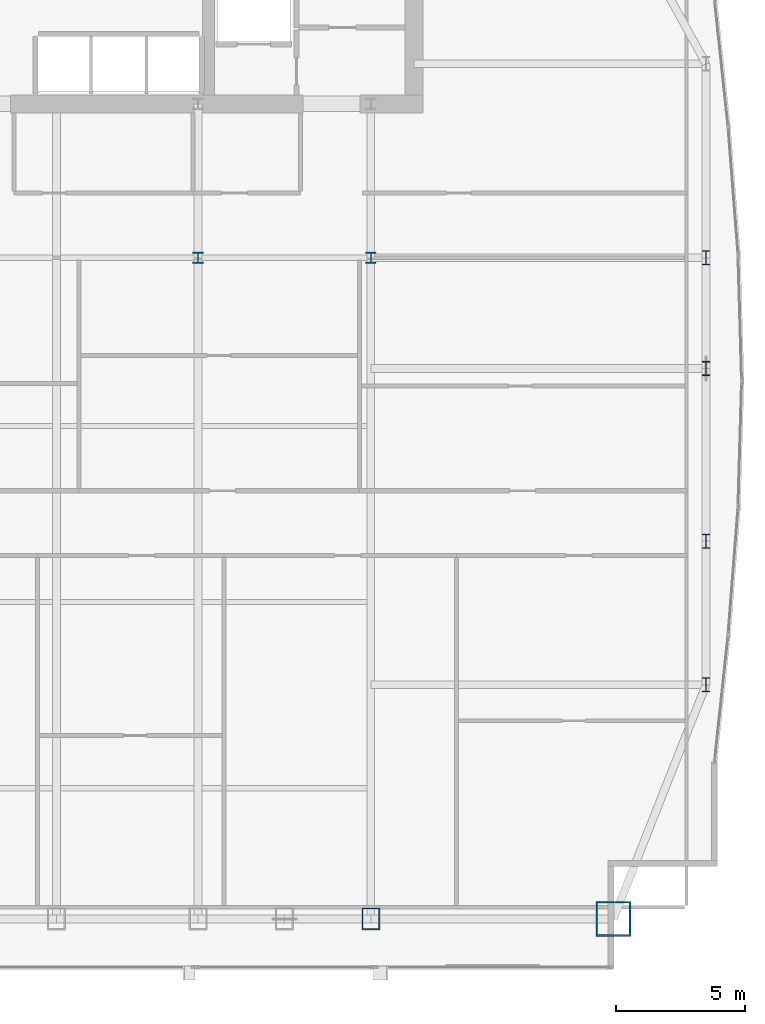
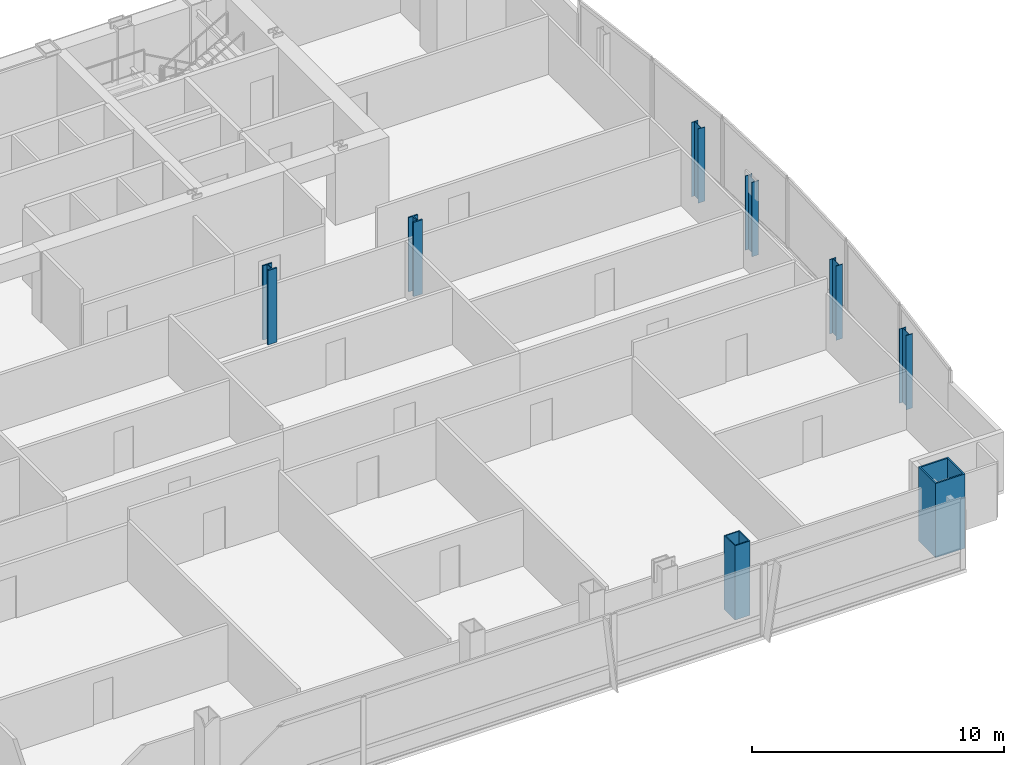
# One storey, part 2 of 29: 8 columns.
"""IFC4 building model written with IfcOpenShell, lengths in metres."""

from ifc_helpers import new_model, si_unit, direction, frame, origin, origin_2d, place, context, subcontext, project, spatial, hollow_rectangle, i_section, extrude, material, material_profile, profile_set, type_object, element, save


model = new_model("IFC4")

# Units and contexts
model_context = context("Model", 3, precision=1e-05, world=origin(), true_north=direction((0.0, 1.0)))
body_context = subcontext(model_context, "Body", "Model", "MODEL_VIEW")
ifc_project = project(units=[si_unit("LENGTHUNIT", "METRE"), si_unit("AREAUNIT", "SQUARE_METRE"), si_unit("VOLUMEUNIT", "CUBIC_METRE"), si_unit("PLANEANGLEUNIT", "RADIAN"), si_unit("MASSUNIT", "GRAM", prefix="KILO")], contexts=[model_context])

# Site, building, storey
site_placement = place(None, origin())
site = spatial("IfcSite", under=ifc_project, at=site_placement, CompositionType="ELEMENT")
building_placement = place(site_placement, origin())
building = spatial("IfcBuilding", under=site, at=building_placement, Name="Khoronbel Lancet Exchange", CompositionType="ELEMENT")
storey_placement = place(building_placement, frame((0.0, 0.0, 143.39990234375)))
storey = spatial("IfcBuildingStorey", under=building, at=storey_placement, Name="L35", CompositionType="ELEMENT", Elevation=143.39990234375)

# Columns
ifc_material_1 = material(Name="Steel S460", Category="steel")
ifc_material_profile_1 = material_profile(ifc_material_1, hollow_rectangle(XDim=0.699951171875, YDim=0.85009765625, WallThickness=0.050048828125, at=origin_2d()), Name="BOX 850x700x50")
ifc_profile_set_1 = profile_set([ifc_material_profile_1], Name="Steel S460")
column_type_1 = type_object("IfcColumnType", Name="COL-EC2", PredefinedType="COLUMN", material=ifc_profile_set_1)
column_1_placement = place(storey_placement, frame((54.675048828125, 10.14990234375, 0.0), z_axis=(0.0, 0.0, 1.0), x_axis=(1.0, 0.0, 0.0)))
element("IfcColumn", 1, at=column_1_placement, inside=storey, type_object=column_type_1, Name="Structural column SC-E2 L35", PredefinedType="COLUMN", context=body_context, shape_type="SweptSolid", body=[
    extrude(hollow_rectangle(XDim=0.699951171875, YDim=0.85009765625, WallThickness=0.050048828125, at=origin_2d()), origin(), (0.0, 0.0, 1.0), 3.60009765625),
])
ifc_material_profile_2 = material_profile(ifc_material_1, i_section(OverallWidth=0.416015625, OverallDepth=0.446044921875, WebThickness=0.0390625, FlangeThickness=0.062744140625, at=origin_2d()), Name="HD 400x509")
ifc_profile_set_2 = profile_set([ifc_material_profile_2], Name="Steel S460")
column_type_2 = type_object("IfcColumnType", Name="COL-IC2", PredefinedType="COLUMN", material=ifc_profile_set_2)
for number, where, z_axis, x_axis, name in (
    (2, (48.0, 35.699951171875, 0.0), (0.0, 0.0, 1.0), (1.0, 0.0, 0.0), "Spine gravity column TC3 L35"),
    (3, (54.675048828125, 35.699951171875, 0.0), (0.0, 0.0, 1.0), (1.0, 0.0, 0.0), "Spine gravity column TC4 L35"),
):
    element("IfcColumn", number, at=place(storey_placement, frame(where, z_axis=z_axis, x_axis=x_axis)), inside=storey, type_object=column_type_2, Name=name, PredefinedType="COLUMN", context=body_context, shape_type="SweptSolid", body=[
        extrude(i_section(OverallWidth=0.416015625, OverallDepth=0.446044921875, WebThickness=0.0390625, FlangeThickness=0.062744140625, at=origin_2d()), origin(), (0.0, 0.0, 1.0), 3.60009765625),
    ])
ifc_material_2 = material(Name="Steel S355", Category="steel")
ifc_material_profile_3 = material_profile(ifc_material_2, i_section(OverallWidth=0.300048828125, OverallDepth=0.550048828125, WebThickness=0.014892578125, FlangeThickness=0.029052734375, at=origin_2d()), Name="HEB 550")
ifc_profile_set_3 = profile_set([ifc_material_profile_3], Name="Steel S355")
column_type_3 = type_object("IfcColumnType", Name="COL-LC1", PredefinedType="COLUMN", material=ifc_profile_set_3)
for number, where, z_axis, x_axis, name in (
    (4, (67.6298828125, 19.199951171875, 0.0), (0.0, 0.0, 1.0), (1.0, 0.0, 0.0), "Structural column EC-1 L35"),
    (5, (67.6298828125, 24.75, 0.0), (0.0, 0.0, 1.0), (1.0, 0.0, 0.0), "Structural column EC-2 L35"),
    (6, (67.6298828125, 31.425048828125, 0.0), (0.0, 0.0, 1.0), (1.0, 0.0, 0.0), "Structural column EC-M L35"),
    (7, (67.6298828125, 35.699951171875, 0.0), (0.0, 0.0, 1.0), (1.0, 0.0, 0.0), "Structural column EC-3 L35"),
):
    element("IfcColumn", number, at=place(storey_placement, frame(where, z_axis=z_axis, x_axis=x_axis)), inside=storey, type_object=column_type_3, Name=name, PredefinedType="COLUMN", context=body_context, shape_type="SweptSolid", body=[
        extrude(i_section(OverallWidth=0.300048828125, OverallDepth=0.550048828125, WebThickness=0.014892578125, FlangeThickness=0.029052734375, at=origin_2d()), origin(), (0.0, 0.0, 1.0), 3.60009765625),
    ])
ifc_material_profile_4 = material_profile(ifc_material_1, hollow_rectangle(XDim=1.35009765625, YDim=1.35009765625, WallThickness=0.06494140625, at=origin_2d()), Name="BOX 1350x1350x65")
ifc_profile_set_4 = profile_set([ifc_material_profile_4], Name="Steel S460")
column_type_4 = type_object("IfcColumnType", Name="COL-MC4", PredefinedType="COLUMN", material=ifc_profile_set_4)
column_2_placement = place(storey_placement, frame((64.050048828125, 10.14990234375, 0.0), z_axis=(0.0, 0.0, 1.0), x_axis=(1.0, 0.0, 0.0)))
element("IfcColumn", 8, at=column_2_placement, inside=storey, type_object=column_type_4, Name="Structural column MC-SE L35", PredefinedType="COLUMN", context=body_context, shape_type="SweptSolid", body=[
    extrude(hollow_rectangle(XDim=1.35009765625, YDim=1.35009765625, WallThickness=0.06494140625, at=origin_2d()), origin(), (0.0, 0.0, 1.0), 3.60009765625),
])

save(model, "model.ifc")
